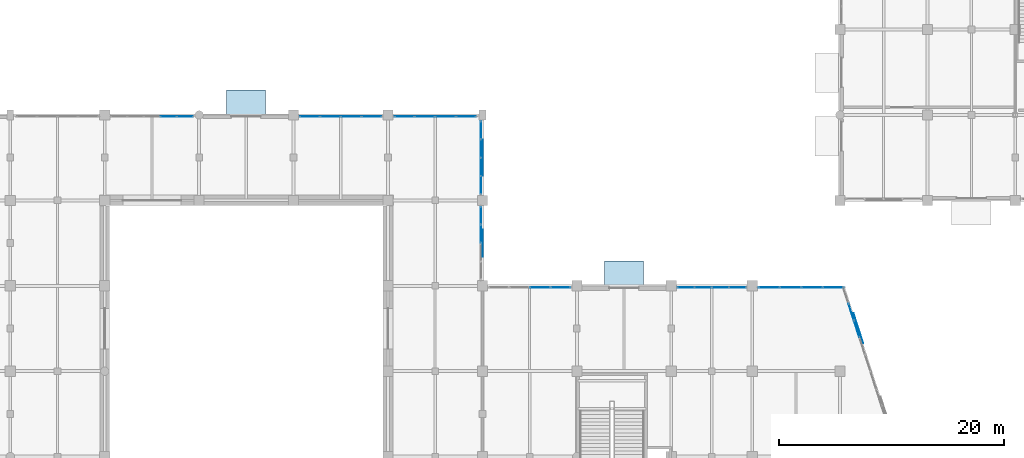
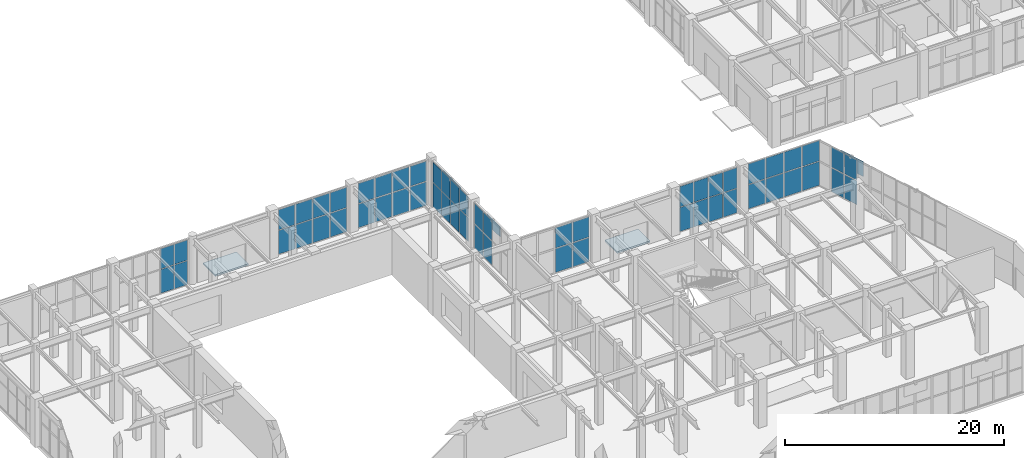
# One storey, part 109 of 139: 59 plates, 2 slabs, 9 elements without a shape of their own.
"""IFC4 building model written with IfcOpenShell, lengths in metres."""

from ifc_helpers import new_model, si_unit, direction, frame, origin, origin_2d, place, context, subcontext, project, spatial, polyline, rectangle, outline, extrude, material, layer, layer_set, type_object, element, aggregate, save


model = new_model("IFC4")

# Units and contexts
model_context = context("Model", 3, precision=1e-05, world=origin(), true_north=direction((0.0, 1.0)))
body_context = subcontext(model_context, "Body", "Model", "MODEL_VIEW")
ifc_project = project(units=[si_unit("LENGTHUNIT", "METRE"), si_unit("AREAUNIT", "SQUARE_METRE"), si_unit("VOLUMEUNIT", "CUBIC_METRE"), si_unit("PLANEANGLEUNIT", "RADIAN"), si_unit("MASSUNIT", "GRAM", prefix="KILO")], contexts=[model_context])

# Site, building, storey
site_placement = place(None, origin())
site = spatial("IfcSite", under=ifc_project, at=site_placement, CompositionType="ELEMENT")
building_placement = place(site_placement, origin())
building = spatial("IfcBuilding", under=site, at=building_placement, Name="Xicomal Pleat Aquarium", CompositionType="ELEMENT")
storey_placement = place(building_placement, origin())
storey = spatial("IfcBuildingStorey", under=building, at=storey_placement, Name="L01", CompositionType="ELEMENT", Elevation=0.0)

# Curtain wall, plates
ifc_material_1 = material(Name="Bronze anodized aluminium 6063-T6", Category="aluminium")
ifc_layer_1 = layer(ifc_material_1, 0.159912109375)
ifc_layer_set_1 = layer_set([ifc_layer_1], Name="Bronze anodized aluminium 6063-T6")
curtain_wall_type_1 = type_object("IfcCurtainWallType", Name="CW-SYS-01", PredefinedType="NOTDEFINED", material=ifc_layer_set_1)
curtain_wall_1_placement = place(storey_placement, origin())
curtain_wall_1 = element("IfcCurtainWall", 1, at=curtain_wall_1_placement, inside=storey, type_object=curtain_wall_type_1, Name="L01 unitised curtain wall CW-L01-036", PredefinedType="NOTDEFINED")
ifc_material_2 = material(Name="Insulated low-E laminated glass", Category="glass")
ifc_layer_2 = layer(ifc_material_2, 0.028076171875)
ifc_layer_set_2 = layer_set([ifc_layer_2], Name="Insulated low-E laminated glass")
plate_type_1 = type_object("IfcPlateType", Name="CWP-GLZ-28", PredefinedType="CURTAIN_PANEL", material=ifc_layer_set_2)
plate_1_placement = place(storey_placement, frame((66.27197265625, 83.4599609375, 0.06494140625), z_axis=(0.0, 0.0, 1.0), x_axis=(1.0, 0.0, 0.0)))
plate_1 = element("IfcPlate", 2, at=plate_1_placement, type_object=plate_type_1, Name="CW-01 panel 4.1", PredefinedType="CURTAIN_PANEL", context=body_context, shape_type="SweptSolid", body=[
    extrude(rectangle(XDim=1.406982421875, YDim=0.028076171875, at=origin_2d()), origin(), (0.0, 0.0, 1.0), 2.656494140625),
])
plate_2_placement = place(storey_placement, frame((66.27197265625, 83.4599609375, 2.78662109375), z_axis=(0.0, 0.0, 1.0), x_axis=(1.0, 0.0, 0.0)))
plate_2 = element("IfcPlate", 3, at=plate_2_placement, type_object=plate_type_1, Name="CW-01 panel 4.2", PredefinedType="CURTAIN_PANEL", context=body_context, shape_type="SweptSolid", body=[
    extrude(rectangle(XDim=1.406982421875, YDim=0.028076171875, at=origin_2d()), origin(), (0.0, 0.0, 1.0), 2.24853515625),
])
plate_3_placement = place(storey_placement, frame((67.727783203125, 83.4599609375, 0.06494140625), z_axis=(0.0, 0.0, 1.0), x_axis=(1.0, 0.0, 0.0)))
plate_3 = element("IfcPlate", 4, at=plate_3_placement, type_object=plate_type_1, Name="CW-01 panel 5.1", PredefinedType="CURTAIN_PANEL", context=body_context, shape_type="SweptSolid", body=[
    extrude(rectangle(XDim=1.37451171875, YDim=0.028076171875, at=origin_2d()), origin(), (0.0, 0.0, 1.0), 2.656494140625),
])
plate_4_placement = place(storey_placement, frame((67.727783203125, 83.4599609375, 2.78662109375), z_axis=(0.0, 0.0, 1.0), x_axis=(1.0, 0.0, 0.0)))
plate_4 = element("IfcPlate", 5, at=plate_4_placement, type_object=plate_type_1, Name="CW-01 panel 5.2", PredefinedType="CURTAIN_PANEL", context=body_context, shape_type="SweptSolid", body=[
    extrude(rectangle(XDim=1.37451171875, YDim=0.028076171875, at=origin_2d()), origin(), (0.0, 0.0, 1.0), 2.24853515625),
])
aggregate(curtain_wall_1, [plate_1, plate_2, plate_3, plate_4])

ifc_material_3 = material(Name="Bronze anodized aluminium 6063-T6", Category="aluminium")
ifc_layer_3 = layer(ifc_material_3, 0.159912109375)
ifc_layer_set_3 = layer_set([ifc_layer_3], Name="Bronze anodized aluminium 6063-T6")
curtain_wall_type_2 = type_object("IfcCurtainWallType", Name="CW-SYS-06", PredefinedType="NOTDEFINED", material=ifc_layer_set_3)
curtain_wall_2_placement = place(storey_placement, origin())
curtain_wall_2 = element("IfcCurtainWall", 6, at=curtain_wall_2_placement, inside=storey, type_object=curtain_wall_type_2, Name="L01 unitised curtain wall CW-L01-040", PredefinedType="NOTDEFINED")
plate_5_placement = place(storey_placement, frame((94.06005859375, 74.64111328125, 0.074951171875), z_axis=(0.0, 0.0, 1.0), x_axis=(0.0, -1.0, 0.0)))
plate_5 = element("IfcPlate", 7, at=plate_5_placement, type_object=plate_type_1, Name="CW-06 panel 1.1", PredefinedType="CURTAIN_PANEL", context=body_context, shape_type="SweptSolid", body=[
    extrude(rectangle(XDim=1.527587890625, YDim=0.028076171875, at=origin_2d()), origin(), (0.0, 0.0, 1.0), 2.6416015625),
])
plate_6_placement = place(storey_placement, frame((94.06005859375, 74.64111328125, 2.79150390625), z_axis=(0.0, 0.0, 1.0), x_axis=(0.0, -1.0, 0.0)))
plate_6 = element("IfcPlate", 8, at=plate_6_placement, type_object=plate_type_1, Name="CW-06 panel 1.2", PredefinedType="CURTAIN_PANEL", context=body_context, shape_type="SweptSolid", body=[
    extrude(rectangle(XDim=1.527587890625, YDim=0.028076171875, at=origin_2d()), origin(), (0.0, 0.0, 1.0), 2.2333984375),
])
plate_7_placement = place(storey_placement, frame((94.06005859375, 73.02001953125, 0.074951171875), z_axis=(0.0, 0.0, 1.0), x_axis=(0.0, -1.0, 0.0)))
plate_7 = element("IfcPlate", 9, at=plate_7_placement, type_object=plate_type_1, Name="CW-06 panel 2.1", PredefinedType="CURTAIN_PANEL", context=body_context, shape_type="SweptSolid", body=[
    extrude(rectangle(XDim=1.56494140625, YDim=0.028076171875, at=origin_2d()), origin(), (0.0, 0.0, 1.0), 2.6416015625),
])
plate_8_placement = place(storey_placement, frame((94.06005859375, 73.02001953125, 2.79150390625), z_axis=(0.0, 0.0, 1.0), x_axis=(0.0, -1.0, 0.0)))
plate_8 = element("IfcPlate", 10, at=plate_8_placement, type_object=plate_type_1, Name="CW-06 panel 2.2", PredefinedType="CURTAIN_PANEL", context=body_context, shape_type="SweptSolid", body=[
    extrude(rectangle(XDim=1.56494140625, YDim=0.028076171875, at=origin_2d()), origin(), (0.0, 0.0, 1.0), 2.2333984375),
])
aggregate(curtain_wall_2, [plate_5, plate_6, plate_7, plate_8])

ifc_material_4 = material(Name="Bronze anodized aluminium 6063-T6", Category="aluminium")
ifc_layer_4 = layer(ifc_material_4, 0.159912109375)
ifc_layer_set_4 = layer_set([ifc_layer_4], Name="Bronze anodized aluminium 6063-T6")
curtain_wall_type_3 = type_object("IfcCurtainWallType", Name="CW-SYS-11", PredefinedType="NOTDEFINED", material=ifc_layer_set_4)
curtain_wall_3_placement = place(storey_placement, origin())
curtain_wall_3 = element("IfcCurtainWall", 11, at=curtain_wall_3_placement, inside=storey, type_object=curtain_wall_type_3, Name="L01 unitised curtain wall CW-L01-044", PredefinedType="NOTDEFINED")
plate_9_placement = place(storey_placement, frame((127.007080078125, 66.076904296875, 0.0849609375), z_axis=(0.0, 0.0, 1.0), x_axis=(0.308746469381, -0.951144372661, 0.0)))
plate_9 = element("IfcPlate", 12, at=plate_9_placement, type_object=plate_type_1, Name="CW-11 panel 2.1", PredefinedType="CURTAIN_PANEL", context=body_context, shape_type="SweptSolid", body=[
    extrude(rectangle(XDim=1.51318359375, YDim=0.028076171875, at=origin_2d()), origin(), (0.0, 0.0, 1.0), 2.658447265625),
])
plate_10_placement = place(storey_placement, frame((127.007080078125, 66.076904296875, 2.828369140625), z_axis=(0.0, 0.0, 1.0), x_axis=(0.308746469381, -0.951144372661, 0.0)))
plate_10 = element("IfcPlate", 13, at=plate_10_placement, type_object=plate_type_1, Name="CW-11 panel 2.2", PredefinedType="CURTAIN_PANEL", context=body_context, shape_type="SweptSolid", body=[
    extrude(rectangle(XDim=1.51318359375, YDim=0.028076171875, at=origin_2d()), origin(), (0.0, 0.0, 1.0), 2.24658203125),
])
plate_11_placement = place(storey_placement, frame((127.50048828125, 64.556884765625, 0.0849609375), z_axis=(0.0, 0.0, 1.0), x_axis=(0.308746469381, -0.951144372661, 0.0)))
plate_11 = element("IfcPlate", 14, at=plate_11_placement, type_object=plate_type_1, Name="CW-11 panel 3.1", PredefinedType="CURTAIN_PANEL", context=body_context, shape_type="SweptSolid", body=[
    extrude(rectangle(XDim=1.51318359375, YDim=0.028076171875, at=origin_2d()), origin(), (0.0, 0.0, 1.0), 2.658447265625),
])
plate_12_placement = place(storey_placement, frame((127.50048828125, 64.556884765625, 2.828369140625), z_axis=(0.0, 0.0, 1.0), x_axis=(0.308746469381, -0.951144372661, 0.0)))
plate_12 = element("IfcPlate", 15, at=plate_12_placement, type_object=plate_type_1, Name="CW-11 panel 3.2", PredefinedType="CURTAIN_PANEL", context=body_context, shape_type="SweptSolid", body=[
    extrude(rectangle(XDim=1.51318359375, YDim=0.028076171875, at=origin_2d()), origin(), (0.0, 0.0, 1.0), 2.24658203125),
])
aggregate(curtain_wall_3, [plate_9, plate_10, plate_11, plate_12])

curtain_wall_4_placement = place(storey_placement, origin())
curtain_wall_4 = element("IfcCurtainWall", 16, at=curtain_wall_4_placement, inside=storey, type_object=curtain_wall_type_2, Name="L01 unitised curtain wall CW-L01-037", PredefinedType="NOTDEFINED")
ifc_material_5 = material(Name="Insulated low-E laminated glass", Category="glass")
ifc_layer_5 = layer(ifc_material_5, 0.031982421875)
ifc_layer_set_5 = layer_set([ifc_layer_5], Name="Insulated low-E laminated glass")
plate_type_2 = type_object("IfcPlateType", Name="CWP-GLZ-32", PredefinedType="CURTAIN_PANEL", material=ifc_layer_set_5)
plate_13_placement = place(storey_placement, frame((78.85888671875, 83.4599609375, 0.074951171875), z_axis=(0.0, 0.0, 1.0), x_axis=(1.0, 0.0, 0.0)))
plate_13 = element("IfcPlate", 17, at=plate_13_placement, type_object=plate_type_2, Name="CW-06 panel 1.1", PredefinedType="CURTAIN_PANEL", context=body_context, shape_type="SweptSolid", body=[
    extrude(rectangle(XDim=1.7275390625, YDim=0.031982421875, at=origin_2d()), origin(), (0.0, 0.0, 1.0), 2.6416015625),
])
plate_14_placement = place(storey_placement, frame((78.85888671875, 83.4599609375, 2.79150390625), z_axis=(0.0, 0.0, 1.0), x_axis=(1.0, 0.0, 0.0)))
plate_14 = element("IfcPlate", 18, at=plate_14_placement, type_object=plate_type_2, Name="CW-06 panel 1.2", PredefinedType="CURTAIN_PANEL", context=body_context, shape_type="SweptSolid", body=[
    extrude(rectangle(XDim=1.7275390625, YDim=0.031982421875, at=origin_2d()), origin(), (0.0, 0.0, 1.0), 2.2333984375),
])
plate_15_placement = place(storey_placement, frame((80.679931640625, 83.4599609375, 0.074951171875), z_axis=(0.0, 0.0, 1.0), x_axis=(1.0, 0.0, 0.0)))
plate_15 = element("IfcPlate", 19, at=plate_15_placement, type_object=plate_type_2, Name="CW-06 panel 2.1", PredefinedType="CURTAIN_PANEL", context=body_context, shape_type="SweptSolid", body=[
    extrude(rectangle(XDim=1.764892578125, YDim=0.031982421875, at=origin_2d()), origin(), (0.0, 0.0, 1.0), 2.6416015625),
])
plate_16_placement = place(storey_placement, frame((80.679931640625, 83.4599609375, 2.79150390625), z_axis=(0.0, 0.0, 1.0), x_axis=(1.0, 0.0, 0.0)))
plate_16 = element("IfcPlate", 20, at=plate_16_placement, type_object=plate_type_2, Name="CW-06 panel 2.2", PredefinedType="CURTAIN_PANEL", context=body_context, shape_type="SweptSolid", body=[
    extrude(rectangle(XDim=1.764892578125, YDim=0.031982421875, at=origin_2d()), origin(), (0.0, 0.0, 1.0), 2.2333984375),
])
plate_17_placement = place(storey_placement, frame((82.52001953125, 83.4599609375, 0.074951171875), z_axis=(0.0, 0.0, 1.0), x_axis=(1.0, 0.0, 0.0)))
plate_17 = element("IfcPlate", 21, at=plate_17_placement, type_object=plate_type_2, Name="CW-06 panel 3.1", PredefinedType="CURTAIN_PANEL", context=body_context, shape_type="SweptSolid", body=[
    extrude(rectangle(XDim=1.764892578125, YDim=0.031982421875, at=origin_2d()), origin(), (0.0, 0.0, 1.0), 2.6416015625),
])
plate_18_placement = place(storey_placement, frame((82.52001953125, 83.4599609375, 2.79150390625), z_axis=(0.0, 0.0, 1.0), x_axis=(1.0, 0.0, 0.0)))
plate_18 = element("IfcPlate", 22, at=plate_18_placement, type_object=plate_type_2, Name="CW-06 panel 3.2", PredefinedType="CURTAIN_PANEL", context=body_context, shape_type="SweptSolid", body=[
    extrude(rectangle(XDim=1.764892578125, YDim=0.031982421875, at=origin_2d()), origin(), (0.0, 0.0, 1.0), 2.2333984375),
])
plate_19_placement = place(storey_placement, frame((84.34130859375, 83.4599609375, 0.074951171875), z_axis=(0.0, 0.0, 1.0), x_axis=(1.0, 0.0, 0.0)))
plate_19 = element("IfcPlate", 23, at=plate_19_placement, type_object=plate_type_2, Name="CW-06 panel 4.1", PredefinedType="CURTAIN_PANEL", context=body_context, shape_type="SweptSolid", body=[
    extrude(rectangle(XDim=1.7275390625, YDim=0.031982421875, at=origin_2d()), origin(), (0.0, 0.0, 1.0), 2.6416015625),
])
plate_20_placement = place(storey_placement, frame((84.34130859375, 83.4599609375, 2.79150390625), z_axis=(0.0, 0.0, 1.0), x_axis=(1.0, 0.0, 0.0)))
plate_20 = element("IfcPlate", 24, at=plate_20_placement, type_object=plate_type_2, Name="CW-06 panel 4.2", PredefinedType="CURTAIN_PANEL", context=body_context, shape_type="SweptSolid", body=[
    extrude(rectangle(XDim=1.7275390625, YDim=0.031982421875, at=origin_2d()), origin(), (0.0, 0.0, 1.0), 2.2333984375),
])
aggregate(curtain_wall_4, [plate_13, plate_14, plate_15, plate_16, plate_17, plate_18, plate_19, plate_20])

curtain_wall_5_placement = place(storey_placement, origin())
curtain_wall_5 = element("IfcCurtainWall", 25, at=curtain_wall_5_placement, inside=storey, type_object=curtain_wall_type_3, Name="L01 unitised curtain wall CW-L01-041", PredefinedType="NOTDEFINED")
plate_21_placement = place(storey_placement, frame((99.320068359375, 68.260009765625, 0.0849609375), z_axis=(0.0, 0.0, 1.0), x_axis=(1.0, 0.0, 0.0)))
plate_21 = element("IfcPlate", 26, at=plate_21_placement, type_object=plate_type_2, Name="CW-11 panel 3.1", PredefinedType="CURTAIN_PANEL", context=body_context, shape_type="SweptSolid", body=[
    extrude(rectangle(XDim=1.7548828125, YDim=0.031982421875, at=origin_2d()), origin(), (0.0, 0.0, 1.0), 2.658447265625),
])
plate_22_placement = place(storey_placement, frame((99.320068359375, 68.260009765625, 2.828369140625), z_axis=(0.0, 0.0, 1.0), x_axis=(1.0, 0.0, 0.0)))
plate_22 = element("IfcPlate", 27, at=plate_22_placement, type_object=plate_type_2, Name="CW-11 panel 3.2", PredefinedType="CURTAIN_PANEL", context=body_context, shape_type="SweptSolid", body=[
    extrude(rectangle(XDim=1.7548828125, YDim=0.031982421875, at=origin_2d()), origin(), (0.0, 0.0, 1.0), 2.24658203125),
])
plate_23_placement = place(storey_placement, frame((101.138916015625, 68.260009765625, 0.0849609375), z_axis=(0.0, 0.0, 1.0), x_axis=(1.0, 0.0, 0.0)))
plate_23 = element("IfcPlate", 28, at=plate_23_placement, type_object=plate_type_2, Name="CW-11 panel 4.1", PredefinedType="CURTAIN_PANEL", context=body_context, shape_type="SweptSolid", body=[
    extrude(rectangle(XDim=1.71240234375, YDim=0.031982421875, at=origin_2d()), origin(), (0.0, 0.0, 1.0), 2.658447265625),
])
plate_24_placement = place(storey_placement, frame((101.138916015625, 68.260009765625, 2.828369140625), z_axis=(0.0, 0.0, 1.0), x_axis=(1.0, 0.0, 0.0)))
plate_24 = element("IfcPlate", 29, at=plate_24_placement, type_object=plate_type_2, Name="CW-11 panel 4.2", PredefinedType="CURTAIN_PANEL", context=body_context, shape_type="SweptSolid", body=[
    extrude(rectangle(XDim=1.71240234375, YDim=0.031982421875, at=origin_2d()), origin(), (0.0, 0.0, 1.0), 2.24658203125),
])
aggregate(curtain_wall_5, [plate_21, plate_22, plate_23, plate_24])

curtain_wall_6_placement = place(storey_placement, origin())
curtain_wall_6 = element("IfcCurtainWall", 30, at=curtain_wall_6_placement, inside=storey, type_object=curtain_wall_type_3, Name="L01 unitised curtain wall CW-L01-038", PredefinedType="NOTDEFINED")
ifc_material_6 = material(Name="Insulated low-E laminated glass", Category="glass")
ifc_layer_6 = layer(ifc_material_6, 0.035888671875)
ifc_layer_set_6 = layer_set([ifc_layer_6], Name="Insulated low-E laminated glass")
plate_type_3 = type_object("IfcPlateType", Name="CWP-GLZ-36", PredefinedType="CURTAIN_PANEL", material=ifc_layer_set_6)
plate_25_placement = place(storey_placement, frame((87.26123046875, 83.4599609375, 0.0849609375), z_axis=(0.0, 0.0, 1.0), x_axis=(1.0, 0.0, 0.0)))
plate_25 = element("IfcPlate", 31, at=plate_25_placement, type_object=plate_type_3, Name="CW-11 panel 1.1", PredefinedType="CURTAIN_PANEL", context=body_context, shape_type="SweptSolid", body=[
    extrude(rectangle(XDim=1.71240234375, YDim=0.035888671875, at=origin_2d()), origin(), (0.0, 0.0, 1.0), 2.62646484375),
])
plate_26_placement = place(storey_placement, frame((87.26123046875, 83.4599609375, 2.79638671875), z_axis=(0.0, 0.0, 1.0), x_axis=(1.0, 0.0, 0.0)))
plate_26 = element("IfcPlate", 32, at=plate_26_placement, type_object=plate_type_3, Name="CW-11 panel 1.2", PredefinedType="CURTAIN_PANEL", context=body_context, shape_type="SweptSolid", body=[
    extrude(rectangle(XDim=1.71240234375, YDim=0.035888671875, at=origin_2d()), origin(), (0.0, 0.0, 1.0), 2.218505859375),
])
plate_27_placement = place(storey_placement, frame((89.080078125, 83.4599609375, 0.0849609375), z_axis=(0.0, 0.0, 1.0), x_axis=(1.0, 0.0, 0.0)))
plate_27 = element("IfcPlate", 33, at=plate_27_placement, type_object=plate_type_3, Name="CW-11 panel 2.1", PredefinedType="CURTAIN_PANEL", context=body_context, shape_type="SweptSolid", body=[
    extrude(rectangle(XDim=1.7548828125, YDim=0.035888671875, at=origin_2d()), origin(), (0.0, 0.0, 1.0), 2.62646484375),
])
plate_28_placement = place(storey_placement, frame((89.080078125, 83.4599609375, 2.79638671875), z_axis=(0.0, 0.0, 1.0), x_axis=(1.0, 0.0, 0.0)))
plate_28 = element("IfcPlate", 34, at=plate_28_placement, type_object=plate_type_3, Name="CW-11 panel 2.2", PredefinedType="CURTAIN_PANEL", context=body_context, shape_type="SweptSolid", body=[
    extrude(rectangle(XDim=1.7548828125, YDim=0.035888671875, at=origin_2d()), origin(), (0.0, 0.0, 1.0), 2.218505859375),
])
plate_29_placement = place(storey_placement, frame((90.919921875, 83.4599609375, 0.0849609375), z_axis=(0.0, 0.0, 1.0), x_axis=(1.0, 0.0, 0.0)))
plate_29 = element("IfcPlate", 35, at=plate_29_placement, type_object=plate_type_3, Name="CW-11 panel 3.1", PredefinedType="CURTAIN_PANEL", context=body_context, shape_type="SweptSolid", body=[
    extrude(rectangle(XDim=1.7548828125, YDim=0.035888671875, at=origin_2d()), origin(), (0.0, 0.0, 1.0), 2.62646484375),
])
plate_30_placement = place(storey_placement, frame((90.919921875, 83.4599609375, 2.79638671875), z_axis=(0.0, 0.0, 1.0), x_axis=(1.0, 0.0, 0.0)))
plate_30 = element("IfcPlate", 36, at=plate_30_placement, type_object=plate_type_3, Name="CW-11 panel 3.2", PredefinedType="CURTAIN_PANEL", context=body_context, shape_type="SweptSolid", body=[
    extrude(rectangle(XDim=1.7548828125, YDim=0.035888671875, at=origin_2d()), origin(), (0.0, 0.0, 1.0), 2.218505859375),
])
plate_31_placement = place(storey_placement, frame((92.73876953125, 83.4599609375, 0.0849609375), z_axis=(0.0, 0.0, 1.0), x_axis=(1.0, 0.0, 0.0)))
plate_31 = element("IfcPlate", 37, at=plate_31_placement, type_object=plate_type_3, Name="CW-11 panel 4.1", PredefinedType="CURTAIN_PANEL", context=body_context, shape_type="SweptSolid", body=[
    extrude(rectangle(XDim=1.71240234375, YDim=0.035888671875, at=origin_2d()), origin(), (0.0, 0.0, 1.0), 2.62646484375),
])
plate_32_placement = place(storey_placement, frame((92.73876953125, 83.4599609375, 2.79638671875), z_axis=(0.0, 0.0, 1.0), x_axis=(1.0, 0.0, 0.0)))
plate_32 = element("IfcPlate", 38, at=plate_32_placement, type_object=plate_type_3, Name="CW-11 panel 4.2", PredefinedType="CURTAIN_PANEL", context=body_context, shape_type="SweptSolid", body=[
    extrude(rectangle(XDim=1.71240234375, YDim=0.035888671875, at=origin_2d()), origin(), (0.0, 0.0, 1.0), 2.218505859375),
])
aggregate(curtain_wall_6, [plate_25, plate_26, plate_27, plate_28, plate_29, plate_30, plate_31, plate_32])

curtain_wall_7_placement = place(storey_placement, origin())
curtain_wall_7 = element("IfcCurtainWall", 39, at=curtain_wall_7_placement, inside=storey, type_object=curtain_wall_type_1, Name="L01 unitised curtain wall CW-L01-042", PredefinedType="NOTDEFINED")
plate_33_placement = place(storey_placement, frame((112.30615234375, 68.260009765625, 0.06494140625), z_axis=(0.0, 0.0, 1.0), x_axis=(1.0, 0.0, 0.0)))
plate_33 = element("IfcPlate", 40, at=plate_33_placement, type_object=plate_type_3, Name="CW-01 panel 1.1", PredefinedType="CURTAIN_PANEL", context=body_context, shape_type="SweptSolid", body=[
    extrude(rectangle(XDim=1.4423828125, YDim=0.035888671875, at=origin_2d()), origin(), (0.0, 0.0, 1.0), 2.6884765625),
])
plate_34_placement = place(storey_placement, frame((112.30615234375, 68.260009765625, 2.818359375), z_axis=(0.0, 0.0, 1.0), x_axis=(1.0, 0.0, 0.0)))
plate_34 = element("IfcPlate", 41, at=plate_34_placement, type_object=plate_type_3, Name="CW-01 panel 1.2", PredefinedType="CURTAIN_PANEL", context=body_context, shape_type="SweptSolid", body=[
    extrude(rectangle(XDim=1.4423828125, YDim=0.035888671875, at=origin_2d()), origin(), (0.0, 0.0, 1.0), 2.276611328125),
])
plate_35_placement = place(storey_placement, frame((113.830078125, 68.260009765625, 0.06494140625), z_axis=(0.0, 0.0, 1.0), x_axis=(1.0, 0.0, 0.0)))
plate_35 = element("IfcPlate", 42, at=plate_35_placement, type_object=plate_type_3, Name="CW-01 panel 2.1", PredefinedType="CURTAIN_PANEL", context=body_context, shape_type="SweptSolid", body=[
    extrude(rectangle(XDim=1.47509765625, YDim=0.035888671875, at=origin_2d()), origin(), (0.0, 0.0, 1.0), 2.6884765625),
])
plate_36_placement = place(storey_placement, frame((113.830078125, 68.260009765625, 2.818359375), z_axis=(0.0, 0.0, 1.0), x_axis=(1.0, 0.0, 0.0)))
plate_36 = element("IfcPlate", 43, at=plate_36_placement, type_object=plate_type_3, Name="CW-01 panel 2.2", PredefinedType="CURTAIN_PANEL", context=body_context, shape_type="SweptSolid", body=[
    extrude(rectangle(XDim=1.47509765625, YDim=0.035888671875, at=origin_2d()), origin(), (0.0, 0.0, 1.0), 2.276611328125),
])
plate_37_placement = place(storey_placement, frame((115.3701171875, 68.260009765625, 0.06494140625), z_axis=(0.0, 0.0, 1.0), x_axis=(1.0, 0.0, 0.0)))
plate_37 = element("IfcPlate", 44, at=plate_37_placement, type_object=plate_type_3, Name="CW-01 panel 3.1", PredefinedType="CURTAIN_PANEL", context=body_context, shape_type="SweptSolid", body=[
    extrude(rectangle(XDim=1.47509765625, YDim=0.035888671875, at=origin_2d()), origin(), (0.0, 0.0, 1.0), 2.6884765625),
])
plate_38_placement = place(storey_placement, frame((115.3701171875, 68.260009765625, 2.818359375), z_axis=(0.0, 0.0, 1.0), x_axis=(1.0, 0.0, 0.0)))
plate_38 = element("IfcPlate", 45, at=plate_38_placement, type_object=plate_type_3, Name="CW-01 panel 3.2", PredefinedType="CURTAIN_PANEL", context=body_context, shape_type="SweptSolid", body=[
    extrude(rectangle(XDim=1.47509765625, YDim=0.035888671875, at=origin_2d()), origin(), (0.0, 0.0, 1.0), 2.276611328125),
])
plate_39_placement = place(storey_placement, frame((116.893798828125, 68.260009765625, 0.06494140625), z_axis=(0.0, 0.0, 1.0), x_axis=(1.0, 0.0, 0.0)))
plate_39 = element("IfcPlate", 46, at=plate_39_placement, type_object=plate_type_3, Name="CW-01 panel 4.1", PredefinedType="CURTAIN_PANEL", context=body_context, shape_type="SweptSolid", body=[
    extrude(rectangle(XDim=1.4423828125, YDim=0.035888671875, at=origin_2d()), origin(), (0.0, 0.0, 1.0), 2.6884765625),
])
plate_40_placement = place(storey_placement, frame((116.893798828125, 68.260009765625, 2.818359375), z_axis=(0.0, 0.0, 1.0), x_axis=(1.0, 0.0, 0.0)))
plate_40 = element("IfcPlate", 47, at=plate_40_placement, type_object=plate_type_3, Name="CW-01 panel 4.2", PredefinedType="CURTAIN_PANEL", context=body_context, shape_type="SweptSolid", body=[
    extrude(rectangle(XDim=1.4423828125, YDim=0.035888671875, at=origin_2d()), origin(), (0.0, 0.0, 1.0), 2.276611328125),
])
aggregate(curtain_wall_7, [plate_33, plate_34, plate_35, plate_36, plate_37, plate_38, plate_39, plate_40])

curtain_wall_8_placement = place(storey_placement, origin())
curtain_wall_8 = element("IfcCurtainWall", 48, at=curtain_wall_8_placement, inside=storey, type_object=curtain_wall_type_1, Name="L01 unitised curtain wall CW-L01-039", PredefinedType="NOTDEFINED")
ifc_material_7 = material(Name="Insulated low-E laminated glass", Category="glass")
ifc_layer_7 = layer(ifc_material_7, 0.0419921875)
ifc_layer_set_7 = layer_set([ifc_layer_7], Name="Insulated low-E laminated glass")
plate_type_4 = type_object("IfcPlateType", Name="CWP-GLZ-42", PredefinedType="CURTAIN_PANEL", material=ifc_layer_set_7)
plate_41_placement = place(storey_placement, frame((94.06005859375, 82.24365234375, 0.06494140625), z_axis=(0.0, 0.0, 1.0), x_axis=(0.0, -1.0, 0.0)))
plate_41 = element("IfcPlate", 49, at=plate_41_placement, type_object=plate_type_4, Name="CW-01 panel 1.1", PredefinedType="CURTAIN_PANEL", context=body_context, shape_type="SweptSolid", body=[
    extrude(rectangle(XDim=1.54248046875, YDim=0.0419921875, at=origin_2d()), origin(), (0.0, 0.0, 1.0), 2.656494140625),
])
plate_42_placement = place(storey_placement, frame((94.06005859375, 82.24365234375, 2.78662109375), z_axis=(0.0, 0.0, 1.0), x_axis=(0.0, -1.0, 0.0)))
plate_42 = element("IfcPlate", 50, at=plate_42_placement, type_object=plate_type_4, Name="CW-01 panel 1.2", PredefinedType="CURTAIN_PANEL", context=body_context, shape_type="SweptSolid", body=[
    extrude(rectangle(XDim=1.54248046875, YDim=0.0419921875, at=origin_2d()), origin(), (0.0, 0.0, 1.0), 2.24853515625),
])
plate_43_placement = place(storey_placement, frame((94.06005859375, 80.6201171875, 0.06494140625), z_axis=(0.0, 0.0, 1.0), x_axis=(0.0, -1.0, 0.0)))
plate_43 = element("IfcPlate", 51, at=plate_43_placement, type_object=plate_type_4, Name="CW-01 panel 2.1", PredefinedType="CURTAIN_PANEL", context=body_context, shape_type="SweptSolid", body=[
    extrude(rectangle(XDim=1.574951171875, YDim=0.0419921875, at=origin_2d()), origin(), (0.0, 0.0, 1.0), 2.656494140625),
])
plate_44_placement = place(storey_placement, frame((94.06005859375, 80.6201171875, 2.78662109375), z_axis=(0.0, 0.0, 1.0), x_axis=(0.0, -1.0, 0.0)))
plate_44 = element("IfcPlate", 52, at=plate_44_placement, type_object=plate_type_4, Name="CW-01 panel 2.2", PredefinedType="CURTAIN_PANEL", context=body_context, shape_type="SweptSolid", body=[
    extrude(rectangle(XDim=1.574951171875, YDim=0.0419921875, at=origin_2d()), origin(), (0.0, 0.0, 1.0), 2.24853515625),
])
plate_45_placement = place(storey_placement, frame((94.06005859375, 78.97998046875, 0.06494140625), z_axis=(0.0, 0.0, 1.0), x_axis=(0.0, -1.0, 0.0)))
plate_45 = element("IfcPlate", 53, at=plate_45_placement, type_object=plate_type_4, Name="CW-01 panel 3.1", PredefinedType="CURTAIN_PANEL", context=body_context, shape_type="SweptSolid", body=[
    extrude(rectangle(XDim=1.574951171875, YDim=0.0419921875, at=origin_2d()), origin(), (0.0, 0.0, 1.0), 2.656494140625),
])
plate_46_placement = place(storey_placement, frame((94.06005859375, 78.97998046875, 2.78662109375), z_axis=(0.0, 0.0, 1.0), x_axis=(0.0, -1.0, 0.0)))
plate_46 = element("IfcPlate", 54, at=plate_46_placement, type_object=plate_type_4, Name="CW-01 panel 3.2", PredefinedType="CURTAIN_PANEL", context=body_context, shape_type="SweptSolid", body=[
    extrude(rectangle(XDim=1.574951171875, YDim=0.0419921875, at=origin_2d()), origin(), (0.0, 0.0, 1.0), 2.24853515625),
])
plate_47_placement = place(storey_placement, frame((94.06005859375, 77.356201171875, 0.06494140625), z_axis=(0.0, 0.0, 1.0), x_axis=(0.0, -1.0, 0.0)))
plate_47 = element("IfcPlate", 55, at=plate_47_placement, type_object=plate_type_4, Name="CW-01 panel 4.1", PredefinedType="CURTAIN_PANEL", context=body_context, shape_type="SweptSolid", body=[
    extrude(rectangle(XDim=1.54248046875, YDim=0.0419921875, at=origin_2d()), origin(), (0.0, 0.0, 1.0), 2.656494140625),
])
plate_48_placement = place(storey_placement, frame((94.06005859375, 77.356201171875, 2.78662109375), z_axis=(0.0, 0.0, 1.0), x_axis=(0.0, -1.0, 0.0)))
plate_48 = element("IfcPlate", 56, at=plate_48_placement, type_object=plate_type_4, Name="CW-01 panel 4.2", PredefinedType="CURTAIN_PANEL", context=body_context, shape_type="SweptSolid", body=[
    extrude(rectangle(XDim=1.54248046875, YDim=0.0419921875, at=origin_2d()), origin(), (0.0, 0.0, 1.0), 2.24853515625),
])
aggregate(curtain_wall_8, [plate_41, plate_42, plate_43, plate_44, plate_45, plate_46, plate_47, plate_48])

curtain_wall_9_placement = place(storey_placement, origin())
curtain_wall_9 = element("IfcCurtainWall", 57, at=curtain_wall_9_placement, inside=storey, type_object=curtain_wall_type_2, Name="L01 unitised curtain wall CW-L01-043", PredefinedType="NOTDEFINED")
plate_49_placement = place(storey_placement, frame((119.69873046875, 68.260009765625, 0.0751953125), z_axis=(0.0, 0.0, 1.0), x_axis=(1.0, 0.0, 0.0)))
plate_49 = element("IfcPlate", 58, at=plate_49_placement, type_object=plate_type_4, Name="CW-06 panel 1.1", PredefinedType="CURTAIN_PANEL", context=body_context, shape_type="SweptSolid", body=[
    extrude(rectangle(XDim=1.8076171875, YDim=0.0419921875, at=origin_2d()), origin(), (0.0, 0.0, 1.0), 2.673583984375),
])
plate_50_placement = place(storey_placement, frame((119.69873046875, 68.260009765625, 2.82373046875), z_axis=(0.0, 0.0, 1.0), x_axis=(1.0, 0.0, 0.0)))
plate_50 = element("IfcPlate", 59, at=plate_50_placement, type_object=plate_type_4, Name="CW-06 panel 1.2", PredefinedType="CURTAIN_PANEL", context=body_context, shape_type="SweptSolid", body=[
    extrude(rectangle(XDim=1.8076171875, YDim=0.0419921875, at=origin_2d()), origin(), (0.0, 0.0, 1.0), 2.261474609375),
])
plate_51_placement = place(storey_placement, frame((121.60009765625, 68.260009765625, 0.0751953125), z_axis=(0.0, 0.0, 1.0), x_axis=(1.0, 0.0, 0.0)))
plate_51 = element("IfcPlate", 60, at=plate_51_placement, type_object=plate_type_4, Name="CW-06 panel 2.1", PredefinedType="CURTAIN_PANEL", context=body_context, shape_type="SweptSolid", body=[
    extrude(rectangle(XDim=1.844970703125, YDim=0.0419921875, at=origin_2d()), origin(), (0.0, 0.0, 1.0), 2.673583984375),
])
plate_52_placement = place(storey_placement, frame((121.60009765625, 68.260009765625, 2.82373046875), z_axis=(0.0, 0.0, 1.0), x_axis=(1.0, 0.0, 0.0)))
plate_52 = element("IfcPlate", 61, at=plate_52_placement, type_object=plate_type_4, Name="CW-06 panel 2.2", PredefinedType="CURTAIN_PANEL", context=body_context, shape_type="SweptSolid", body=[
    extrude(rectangle(XDim=1.844970703125, YDim=0.0419921875, at=origin_2d()), origin(), (0.0, 0.0, 1.0), 2.261474609375),
])
plate_53_placement = place(storey_placement, frame((123.52001953125, 68.260009765625, 0.0751953125), z_axis=(0.0, 0.0, 1.0), x_axis=(1.0, 0.0, 0.0)))
plate_53 = element("IfcPlate", 62, at=plate_53_placement, type_object=plate_type_4, Name="CW-06 panel 3.1", PredefinedType="CURTAIN_PANEL", context=body_context, shape_type="SweptSolid", body=[
    extrude(rectangle(XDim=1.844970703125, YDim=0.0419921875, at=origin_2d()), origin(), (0.0, 0.0, 1.0), 2.673583984375),
])
plate_54_placement = place(storey_placement, frame((123.52001953125, 68.260009765625, 2.82373046875), z_axis=(0.0, 0.0, 1.0), x_axis=(1.0, 0.0, 0.0)))
plate_54 = element("IfcPlate", 63, at=plate_54_placement, type_object=plate_type_4, Name="CW-06 panel 3.2", PredefinedType="CURTAIN_PANEL", context=body_context, shape_type="SweptSolid", body=[
    extrude(rectangle(XDim=1.844970703125, YDim=0.0419921875, at=origin_2d()), origin(), (0.0, 0.0, 1.0), 2.261474609375),
])
plate_55_placement = place(storey_placement, frame((125.42138671875, 68.260009765625, 0.0751953125), z_axis=(0.0, 0.0, 1.0), x_axis=(1.0, 0.0, 0.0)))
plate_55 = element("IfcPlate", 64, at=plate_55_placement, type_object=plate_type_4, Name="CW-06 panel 4.1", PredefinedType="CURTAIN_PANEL", context=body_context, shape_type="SweptSolid", body=[
    extrude(rectangle(XDim=1.8076171875, YDim=0.0419921875, at=origin_2d()), origin(), (0.0, 0.0, 1.0), 2.673583984375),
])
plate_56_placement = place(storey_placement, frame((125.42138671875, 68.260009765625, 2.82373046875), z_axis=(0.0, 0.0, 1.0), x_axis=(1.0, 0.0, 0.0)))
plate_56 = element("IfcPlate", 65, at=plate_56_placement, type_object=plate_type_4, Name="CW-06 panel 4.2", PredefinedType="CURTAIN_PANEL", context=body_context, shape_type="SweptSolid", body=[
    extrude(rectangle(XDim=1.8076171875, YDim=0.0419921875, at=origin_2d()), origin(), (0.0, 0.0, 1.0), 2.261474609375),
])
aggregate(curtain_wall_9, [plate_49, plate_50, plate_51, plate_52, plate_53, plate_54, plate_55, plate_56])

# Plates
ifc_material_8 = material(Name="Perforated bronze anodized aluminium", Category="aluminium")
ifc_layer_8 = layer(ifc_material_8, 0.01611328125)
ifc_layer_set_8 = layer_set([ifc_layer_8], Name="Perforated bronze anodized aluminium")
plate_type_5 = type_object("IfcPlateType", Name="PLT-SUN-16", PredefinedType="USERDEFINED", material=ifc_layer_set_8)
plate_57_placement = place(storey_placement, frame((94.219970703125, 72.199951171875, 3.85986328125), z_axis=(0.0, 0.0, 1.0), x_axis=(0.0, -1.0, 0.0)))
element("IfcPlate", 66, at=plate_57_placement, inside=storey, type_object=plate_type_5, Name="L01 perforated solar sunshade 18", ObjectType="SUNSHADE PANEL", PredefinedType="USERDEFINED", context=body_context, shape_type="SweptSolid", body=[
    extrude(rectangle(XDim=2.39990234375, YDim=0.01611328125, at=origin_2d()), origin(), (0.0, 0.0, 1.0), 1.199951171875),
])
ifc_material_9 = material(Name="Perforated bronze anodized aluminium", Category="aluminium")
ifc_layer_9 = layer(ifc_material_9, 0.02001953125)
ifc_layer_set_9 = layer_set([ifc_layer_9], Name="Perforated bronze anodized aluminium")
plate_type_6 = type_object("IfcPlateType", Name="PLT-SUN-20", PredefinedType="USERDEFINED", material=ifc_layer_set_9)
plate_58_placement = place(storey_placement, frame((127.653076171875, 64.60595703125, 3.43994140625), z_axis=(0.0, 0.0, 1.0), x_axis=(0.308684994204, -0.951164325631, 0.0)))
element("IfcPlate", 67, at=plate_58_placement, inside=storey, type_object=plate_type_6, Name="L01 perforated solar sunshade 19", ObjectType="SUNSHADE PANEL", PredefinedType="USERDEFINED", context=body_context, shape_type="SweptSolid", body=[
    extrude(rectangle(XDim=2.800048828125, YDim=0.02001953125, at=origin_2d()), origin(), (0.0, 0.0, 1.0), 1.679931640625),
])
ifc_material_10 = material(Name="Perforated bronze anodized aluminium", Category="aluminium")
ifc_layer_10 = layer(ifc_material_10, 0.02392578125)
ifc_layer_set_10 = layer_set([ifc_layer_10], Name="Perforated bronze anodized aluminium")
plate_type_7 = type_object("IfcPlateType", Name="PLT-SUN-24", PredefinedType="USERDEFINED", material=ifc_layer_set_10)
plate_59_placement = place(storey_placement, frame((94.219970703125, 79.800048828125, 3.4599609375), z_axis=(0.0, 0.0, 1.0), x_axis=(0.0, -1.0, 0.0)))
element("IfcPlate", 68, at=plate_59_placement, inside=storey, type_object=plate_type_7, Name="L01 perforated solar sunshade 17", ObjectType="SUNSHADE PANEL", PredefinedType="USERDEFINED", context=body_context, shape_type="SweptSolid", body=[
    extrude(rectangle(XDim=3.199951171875, YDim=0.02392578125, at=origin_2d()), origin(), (0.0, 0.0, 1.0), 1.60009765625),
])

# Slabs
ifc_material_11 = material(Name="Concrete C40/50", Category="concrete")
ifc_layer_11 = layer(ifc_material_11, 0.18505859375)
ifc_layer_set_11 = layer_set([ifc_layer_11], Name="Concrete C40/50")
slab_type = type_object("IfcSlabType", Name="SLB-TER-185", PredefinedType="FLOOR", material=ifc_layer_set_11)
slab_1_placement = place(storey_placement, frame((0.0, 0.0, -0.18505859375)))
element("IfcSlab", 69, at=slab_1_placement, inside=storey, type_object=slab_type, Name="Exterior grade entrance apron SL-APR-EX-20", PredefinedType="FLOOR", context=body_context, shape_type="SweptSolid", body=[
    extrude(outline(polyline([(71.4130859375, 85.800048828125), (74.9130859375, 85.800048828125), (74.9130859375, 83.60009765625), (71.4130859375, 83.60009765625), (71.4130859375, 85.800048828125)])), origin(), (0.0, 0.0, 1.0), 0.18505859375),
])
slab_2_placement = place(storey_placement, frame((0.0, 0.0, -0.18505859375)))
element("IfcSlab", 70, at=slab_2_placement, inside=storey, type_object=slab_type, Name="Exterior grade entrance apron SL-APR-EX-23", PredefinedType="FLOOR", context=body_context, shape_type="SweptSolid", body=[
    extrude(outline(polyline([(105.050048828125, 70.60009765625), (108.550048828125, 70.60009765625), (108.550048828125, 68.39990234375), (105.050048828125, 68.39990234375), (105.050048828125, 70.60009765625)])), origin(), (0.0, 0.0, 1.0), 0.18505859375),
])

save(model, "model.ifc")
